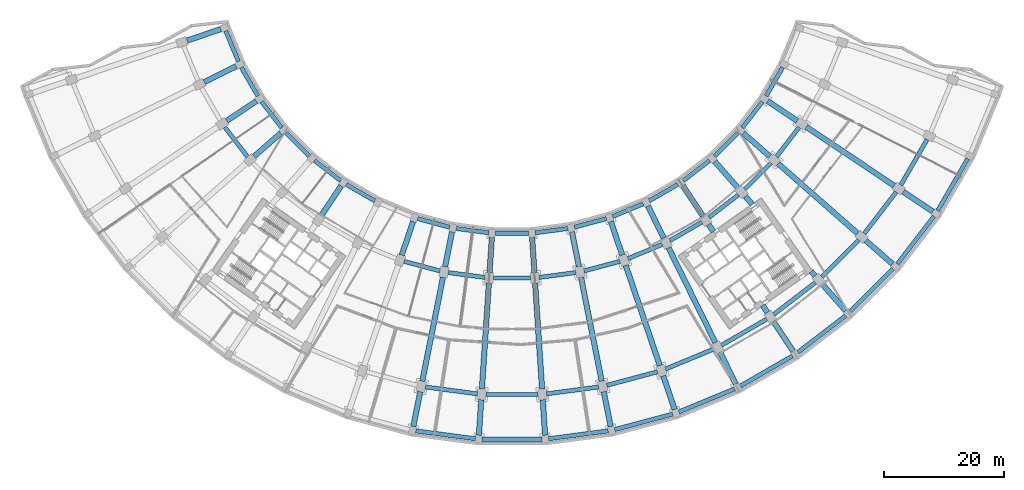
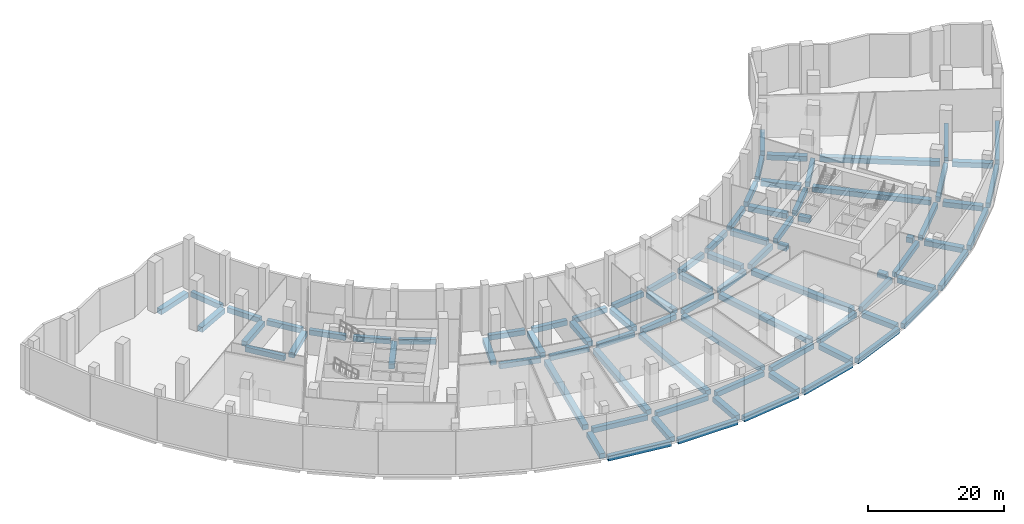
# One storey, part 2 of 17: 86 beams.
"""IFC4 building model written with IfcOpenShell, lengths in metres."""

from ifc_helpers import new_model, si_unit, direction, frame, origin, origin_2d, place, context, subcontext, project, spatial, rectangle, extrude, material, material_profile, profile_set, type_object, element, save


model = new_model("IFC4")

# Units and contexts
model_context = context("Model", 3, precision=1e-05, world=origin(), true_north=direction((0.0, 1.0)))
body_context = subcontext(model_context, "Body", "Model", "MODEL_VIEW")
ifc_project = project(units=[si_unit("LENGTHUNIT", "METRE"), si_unit("AREAUNIT", "SQUARE_METRE"), si_unit("VOLUMEUNIT", "CUBIC_METRE"), si_unit("PLANEANGLEUNIT", "RADIAN"), si_unit("MASSUNIT", "GRAM", prefix="KILO")], contexts=[model_context])

# Site, building, storey
site_placement = place(None, origin())
site = spatial("IfcSite", under=ifc_project, at=site_placement, CompositionType="ELEMENT")
building_placement = place(site_placement, origin())
building = spatial("IfcBuilding", under=site, at=building_placement, Name="Qamariyya Broadcast Tower", CompositionType="ELEMENT")
storey_placement = place(building_placement, frame((0.0, 0.0, 18.0)))
storey = spatial("IfcBuildingStorey", under=building, at=storey_placement, Name="L02", CompositionType="ELEMENT", Elevation=18.0)

# Beams
ifc_material = material(Name="Concrete C50/60", Category="concrete")
ifc_material_profile_1 = material_profile(ifc_material, rectangle(XDim=0.699951171875, YDim=0.89990234375, at=origin_2d()))
ifc_profile_set_1 = profile_set([ifc_material_profile_1], Name="Concrete C50/60")
beam_type_1 = type_object("IfcBeamType", Name="RC edge beam 700 x 900 C50/60", PredefinedType="SPANDREL", material=ifc_profile_set_1)
beam_1_placement = place(storey_placement, frame((-47.845703125, -16.822265625, -0.85009765625), z_axis=(0.382654292645, -0.92389160204, 0.0), x_axis=(0.92389160204, 0.382654292645, 0.0)))
element("IfcBeam", 1, at=beam_1_placement, inside=storey, type_object=beam_type_1, Name="Edge beam B2 L02 A R01-R02", PredefinedType="SPANDREL", context=body_context, shape_type="SweptSolid", body=[
    extrude(rectangle(XDim=0.699951171875, YDim=0.89990234375, at=origin_2d()), origin(), (0.0, 0.0, 1.0), 5.5361328125),
])
for number, where, z_axis, x_axis, name in (
    (2, (-45.24072265625, -22.923583984375, -0.85009765625), (0.500018944545, -0.86601446587, 0.0), (0.86601446587, 0.500018944545, 0.0), "Edge beam B2 L02 A R02-R03"),
    (3, (-41.861572265625, -28.632568359375, -0.85009765625), (0.60877682934, -0.793341522964, 0.0), (0.793341522964, 0.60877682934, 0.0), "Edge beam B2 L02 A R03-R04"),
):
    element("IfcBeam", number, at=place(storey_placement, frame(where, z_axis=z_axis, x_axis=x_axis)), inside=storey, type_object=beam_type_1, Name=name, PredefinedType="SPANDREL", context=body_context, shape_type="SweptSolid", body=[
        extrude(rectangle(XDim=0.699951171875, YDim=0.89990234375, at=origin_2d()), origin(), (0.0, 0.0, 1.0), 5.535888671875),
    ])
beam_2_placement = place(storey_placement, frame((-37.76611328125, -33.8515625, -0.85009765625), z_axis=(0.707106781187, -0.707106781187, 0.0), x_axis=(0.707106781187, 0.707106781187, 0.0)))
element("IfcBeam", 4, at=beam_2_placement, inside=storey, type_object=beam_type_1, Name="Edge beam B2 L02 A R04-R05", PredefinedType="SPANDREL", context=body_context, shape_type="SweptSolid", body=[
    extrude(rectangle(XDim=0.699951171875, YDim=0.89990234375, at=origin_2d()), origin(), (0.0, 0.0, 1.0), 5.5361328125),
])
for number, where, z_axis, x_axis, name in (
    (5, (-33.0244140625, -38.491455078125, -0.85009765625), (0.793341522964, -0.60877682934, 0.0), (0.60877682934, 0.793341522964, 0.0), "Edge beam B2 L02 A R05-R06"),
    (6, (-27.7177734375, -42.47265625, -0.85009765625), (0.86601446587, -0.500018944545, 0.0), (0.500018944545, 0.86601446587, 0.0), "Edge beam B2 L02 A R06-R07"),
    (7, (-15.78076171875, -48.199462890625, -0.85009765625), (0.965935650788, -0.25878237679, 0.0), (0.25878237679, 0.965935650788, 0.0), "Edge beam B2 L02 A R08-R09"),
    (8, (-9.354248046875, -49.8466796875, -0.85009765625), (0.991443033841, -0.130540072958, 0.0), (0.130540072958, 0.991443033841, 0.0), "Edge beam B2 L02 A R09-R10"),
):
    element("IfcBeam", number, at=place(storey_placement, frame(where, z_axis=z_axis, x_axis=x_axis)), inside=storey, type_object=beam_type_1, Name=name, PredefinedType="SPANDREL", context=body_context, shape_type="SweptSolid", body=[
        extrude(rectangle(XDim=0.699951171875, YDim=0.89990234375, at=origin_2d()), origin(), (0.0, 0.0, 1.0), 5.535888671875),
    ])
beam_3_placement = place(storey_placement, frame((-2.76806640625, -50.641357421875, -0.85009765625), z_axis=(1.0, 0.0, 0.0), x_axis=(0.0, 1.0, 0.0)))
element("IfcBeam", 9, at=beam_3_placement, inside=storey, type_object=beam_type_1, Name="Edge beam B2 L02 A R10-R11", PredefinedType="SPANDREL", context=body_context, shape_type="SweptSolid", body=[
    extrude(rectangle(XDim=0.699951171875, YDim=0.89990234375, at=origin_2d()), origin(), (0.0, 0.0, 1.0), 5.5361328125),
])
for number, where, z_axis, x_axis, name in (
    (10, (3.86572265625, -50.5693359375, -0.85009765625), (0.991443033841, 0.130540072958, 0.0), (-0.130540072958, 0.991443033841, 0.0), "Edge beam B2 L02 A R11-R12"),
    (11, (10.433349609375, -49.632080078125, -0.85009765625), (0.965935650788, 0.25878237679, 0.0), (-0.25878237679, 0.965935650788, 0.0), "Edge beam B2 L02 A R12-R13"),
):
    element("IfcBeam", number, at=place(storey_placement, frame(where, z_axis=z_axis, x_axis=x_axis)), inside=storey, type_object=beam_type_1, Name=name, PredefinedType="SPANDREL", context=body_context, shape_type="SweptSolid", body=[
        extrude(rectangle(XDim=0.699951171875, YDim=0.89990234375, at=origin_2d()), origin(), (0.0, 0.0, 1.0), 5.535888671875),
    ])
beam_4_placement = place(storey_placement, frame((16.822265625, -47.845703125, -0.85009765625), z_axis=(0.92389160204, 0.382654292645, 0.0), x_axis=(-0.382654292645, 0.92389160204, 0.0)))
element("IfcBeam", 12, at=beam_4_placement, inside=storey, type_object=beam_type_1, Name="Edge beam B2 L02 A R13-R14", PredefinedType="SPANDREL", context=body_context, shape_type="SweptSolid", body=[
    extrude(rectangle(XDim=0.699951171875, YDim=0.89990234375, at=origin_2d()), origin(), (0.0, 0.0, 1.0), 5.5361328125),
])
for number, where, z_axis, x_axis, name in (
    (13, (22.923583984375, -45.24072265625, -0.85009765625), (0.86601446587, 0.500018944545, 0.0), (-0.500018944545, 0.86601446587, 0.0), "Edge beam B2 L02 A R14-R15"),
    (14, (28.632568359375, -41.861572265625, -0.85009765625), (0.793341522964, 0.60877682934, 0.0), (-0.60877682934, 0.793341522964, 0.0), "Edge beam B2 L02 A R15-R16"),
):
    element("IfcBeam", number, at=place(storey_placement, frame(where, z_axis=z_axis, x_axis=x_axis)), inside=storey, type_object=beam_type_1, Name=name, PredefinedType="SPANDREL", context=body_context, shape_type="SweptSolid", body=[
        extrude(rectangle(XDim=0.699951171875, YDim=0.89990234375, at=origin_2d()), origin(), (0.0, 0.0, 1.0), 5.535888671875),
    ])
beam_5_placement = place(storey_placement, frame((33.8515625, -37.76611328125, -0.85009765625), z_axis=(0.707106781187, 0.707106781187, 0.0), x_axis=(-0.707106781187, 0.707106781187, 0.0)))
element("IfcBeam", 15, at=beam_5_placement, inside=storey, type_object=beam_type_1, Name="Edge beam B2 L02 A R16-R17", PredefinedType="SPANDREL", context=body_context, shape_type="SweptSolid", body=[
    extrude(rectangle(XDim=0.699951171875, YDim=0.89990234375, at=origin_2d()), origin(), (0.0, 0.0, 1.0), 5.5361328125),
])
for number, where, z_axis, x_axis, name in (
    (16, (38.491455078125, -33.0244140625, -0.85009765625), (0.60877682934, 0.793341522964, 0.0), (-0.793341522964, 0.60877682934, 0.0), "Edge beam B2 L02 A R17-R18"),
    (17, (42.47265625, -27.7177734375, -0.85009765625), (0.500018944545, 0.86601446587, 0.0), (-0.86601446587, 0.500018944545, 0.0), "Edge beam B2 L02 A R18-R19"),
):
    element("IfcBeam", number, at=place(storey_placement, frame(where, z_axis=z_axis, x_axis=x_axis)), inside=storey, type_object=beam_type_1, Name=name, PredefinedType="SPANDREL", context=body_context, shape_type="SweptSolid", body=[
        extrude(rectangle(XDim=0.699951171875, YDim=0.89990234375, at=origin_2d()), origin(), (0.0, 0.0, 1.0), 5.535888671875),
    ])
for number, where, z_axis, x_axis, name in (
    (18, (-48.006103515625, -32.91845703125, -0.85009765625), (0.608767052878, -0.793349024913, 0.0), (0.793349024913, 0.608767052878, 0.0), "Edge beam B2 L02 B R03-R04"),
    (19, (-18.046142578125, -55.34033203125, -0.85009765625), (0.965927891917, -0.258811335952, 0.0), (0.258811335952, 0.965927891917, 0.0), "Edge beam B2 L02 B R08-R09"),
    (20, (-10.66845703125, -57.222412109375, -0.85009765625), (0.991447744331, -0.130504292114, 0.0), (0.130504292114, 0.991447744331, 0.0), "Edge beam B2 L02 B R09-R10"),
):
    element("IfcBeam", number, at=place(storey_placement, frame(where, z_axis=z_axis, x_axis=x_axis)), inside=storey, type_object=beam_type_1, Name=name, PredefinedType="SPANDREL", context=body_context, shape_type="SweptSolid", body=[
        extrude(rectangle(XDim=0.699951171875, YDim=0.89990234375, at=origin_2d()), origin(), (0.0, 0.0, 1.0), 6.216552734375),
    ])
beam_6_placement = place(storey_placement, frame((-3.108154296875, -58.125244140625, -0.85009765625), z_axis=(1.0, 0.0, 0.0), x_axis=(0.0, 1.0, 0.0)))
element("IfcBeam", 21, at=beam_6_placement, inside=storey, type_object=beam_type_1, Name="Edge beam B2 L02 B R10-R11", PredefinedType="SPANDREL", context=body_context, shape_type="SweptSolid", body=[
    extrude(rectangle(XDim=0.699951171875, YDim=0.89990234375, at=origin_2d()), origin(), (0.0, 0.0, 1.0), 6.21630859375),
])
for number, where, z_axis, x_axis, name in (
    (22, (4.505126953125, -58.03369140625, -0.85009765625), (0.991447744331, 0.130504292114, 0.0), (-0.130504292114, 0.991447744331, 0.0), "Edge beam B2 L02 B R11-R12"),
    (23, (12.04150390625, -56.94921875, -0.85009765625), (0.965927891917, 0.258811335952, 0.0), (-0.258811335952, 0.965927891917, 0.0), "Edge beam B2 L02 B R12-R13"),
):
    element("IfcBeam", number, at=place(storey_placement, frame(where, z_axis=z_axis, x_axis=x_axis)), inside=storey, type_object=beam_type_1, Name=name, PredefinedType="SPANDREL", context=body_context, shape_type="SweptSolid", body=[
        extrude(rectangle(XDim=0.699951171875, YDim=0.89990234375, at=origin_2d()), origin(), (0.0, 0.0, 1.0), 6.216552734375),
    ])
for number, where, z_axis, x_axis, name in (
    (24, (19.3720703125, -54.89013671875, -0.85009765625), (0.92387897489, 0.38268477858, 0.0), (-0.38268477858, 0.92387897489, 0.0), "Edge beam B2 L02 B R13-R14"),
    (25, (26.370849609375, -51.89208984375, -0.85009765625), (0.86602796805, 0.499995558535, 0.0), (-0.499995558535, 0.86602796805, 0.0), "Edge beam B2 L02 B R14-R15"),
):
    element("IfcBeam", number, at=place(storey_placement, frame(where, z_axis=z_axis, x_axis=x_axis)), inside=storey, type_object=beam_type_1, Name=name, PredefinedType="SPANDREL", context=body_context, shape_type="SweptSolid", body=[
        extrude(rectangle(XDim=0.699951171875, YDim=0.89990234375, at=origin_2d()), origin(), (0.0, 0.0, 1.0), 6.21630859375),
    ])
for number, where, z_axis, x_axis, name in (
    (26, (32.91845703125, -48.006103515625, -0.85009765625), (0.793349024913, 0.608767052878, 0.0), (-0.608767052878, 0.793349024913, 0.0), "Edge beam B2 L02 B R15-R16"),
    (27, (38.90283203125, -43.298583984375, -0.85009765625), (0.707106781187, 0.707106781187, 0.0), (-0.707106781187, 0.707106781187, 0.0), "Edge beam B2 L02 B R16-R17"),
    (28, (44.2216796875, -37.850341796875, -0.85009765625), (0.608767052878, 0.793349024913, 0.0), (-0.793349024913, 0.608767052878, 0.0), "Edge beam B2 L02 B R17-R18"),
):
    element("IfcBeam", number, at=place(storey_placement, frame(where, z_axis=z_axis, x_axis=x_axis)), inside=storey, type_object=beam_type_1, Name=name, PredefinedType="SPANDREL", context=body_context, shape_type="SweptSolid", body=[
        extrude(rectangle(XDim=0.699951171875, YDim=0.89990234375, at=origin_2d()), origin(), (0.0, 0.0, 1.0), 6.216552734375),
    ])
for number, where, z_axis, x_axis, name in (
    (29, (-14.47265625, -76.34765625, -0.85009765625), (0.991445668121, -0.130520064222, 0.0), (0.130520064222, 0.991445668121, 0.0), "Edge beam B2 L02 C R09-R10"),
    (30, (-4.383544921875, -77.58349609375, -0.85009765625), (1.0, 0.0, 0.0), (0.0, 1.0, 0.0), "Edge beam B2 L02 C R10-R11"),
    (31, (5.780517578125, -77.491943359375, -0.85009765625), (0.991445668121, 0.130520064222, 0.0), (-0.130520064222, 0.991445668121, 0.0), "Edge beam B2 L02 C R11-R12"),
    (32, (15.845947265625, -76.074462890625, -0.85009765625), (0.965926422845, 0.258816818714, 0.0), (-0.258816818714, 0.965926422845, 0.0), "Edge beam B2 L02 C R12-R13"),
    (33, (25.64013671875, -73.35546875, -0.85009765625), (0.923869185896, 0.38270841035, 0.0), (-0.38270841035, 0.923869185896, 0.0), "Edge beam B2 L02 C R13-R14"),
):
    element("IfcBeam", number, at=place(storey_placement, frame(where, z_axis=z_axis, x_axis=x_axis)), inside=storey, type_object=beam_type_1, Name=name, PredefinedType="SPANDREL", context=body_context, shape_type="SweptSolid", body=[
        extrude(rectangle(XDim=0.699951171875, YDim=0.89990234375, at=origin_2d()), origin(), (0.0, 0.0, 1.0), 8.76708984375),
    ])
beam_7_placement = place(storey_placement, frame((34.995361328125, -69.381103515625, -0.85009765625), z_axis=(0.86603255856, 0.499987607361, 0.0), x_axis=(-0.499987607361, 0.86603255856, 0.0)))
element("IfcBeam", 34, at=beam_7_placement, inside=storey, type_object=beam_type_1, Name="Edge beam B2 L02 C R14-R15", PredefinedType="SPANDREL", context=body_context, shape_type="SweptSolid", body=[
    extrude(rectangle(XDim=0.699951171875, YDim=0.89990234375, at=origin_2d()), origin(), (0.0, 0.0, 1.0), 8.767333984375),
])
for number, where, z_axis, x_axis, name in (
    (35, (43.752197265625, -64.2197265625, -0.85009765625), (0.79334498231, 0.608772321187, 0.0), (-0.608772321187, 0.79334498231, 0.0), "Edge beam B2 L02 C R15-R16"),
    (36, (51.76025390625, -57.95947265625, -0.85009765625), (0.707106781187, 0.707106781187, 0.0), (-0.707106781187, 0.707106781187, 0.0), "Edge beam B2 L02 C R16-R17"),
    (37, (58.882568359375, -50.70751953125, -0.85009765625), (0.608772321187, 0.79334498231, 0.0), (-0.79334498231, 0.608772321187, 0.0), "Edge beam B2 L02 C R17-R18"),
):
    element("IfcBeam", number, at=place(storey_placement, frame(where, z_axis=z_axis, x_axis=x_axis)), inside=storey, type_object=beam_type_1, Name=name, PredefinedType="SPANDREL", context=body_context, shape_type="SweptSolid", body=[
        extrude(rectangle(XDim=0.699951171875, YDim=0.89990234375, at=origin_2d()), origin(), (0.0, 0.0, 1.0), 8.76708984375),
    ])
beam_8_placement = place(storey_placement, frame((64.99755859375, -42.588134765625, -0.85009765625), z_axis=(0.499987607361, 0.86603255856, 0.0), x_axis=(-0.86603255856, 0.499987607361, 0.0)))
element("IfcBeam", 38, at=beam_8_placement, inside=storey, type_object=beam_type_1, Name="Edge beam B2 L02 C R18-R19", PredefinedType="SPANDREL", context=body_context, shape_type="SweptSolid", body=[
    extrude(rectangle(XDim=0.699951171875, YDim=0.89990234375, at=origin_2d()), origin(), (0.0, 0.0, 1.0), 8.767333984375),
])
for number, where, z_axis, x_axis, name in (
    (39, (-16.0849609375, -83.683837890625, -0.85009765625), (0.991443211053, -0.130538727039, 0.0), (0.130538727039, 0.991443211053, 0.0), "Edge beam B2 L02 D R09-R10"),
    (40, (-5.0244140625, -85.0673828125, -0.85009765625), (1.0, 0.0, 0.0), (0.0, 1.0, 0.0), "Edge beam B2 L02 D R10-R11"),
    (41, (6.1220703125, -84.99560546875, -0.85009765625), (0.991443211053, 0.130538727039, 0.0), (-0.130538727039, 0.991443211053, 0.0), "Edge beam B2 L02 D R11-R12"),
    (42, (17.163818359375, -83.46923828125, -0.85009765625), (0.96592657939, 0.258816234475, 0.0), (-0.258816234475, 0.96592657939, 0.0), "Edge beam B2 L02 D R12-R13"),
    (43, (27.911865234375, -80.514892578125, -0.85009765625), (0.923882101991, 0.382677229034, 0.0), (-0.382677229034, 0.923882101991, 0.0), "Edge beam B2 L02 D R13-R14"),
    (44, (38.182373046875, -76.182861328125, -0.85009765625), (0.866027799164, 0.499995851058, 0.0), (-0.499995851058, 0.866027799164, 0.0), "Edge beam B2 L02 D R14-R15"),
):
    element("IfcBeam", number, at=place(storey_placement, frame(where, z_axis=z_axis, x_axis=x_axis)), inside=storey, type_object=beam_type_1, Name=name, PredefinedType="SPANDREL", context=body_context, shape_type="SweptSolid", body=[
        extrude(rectangle(XDim=0.699951171875, YDim=0.89990234375, at=origin_2d()), origin(), (0.0, 0.0, 1.0), 10.048828125),
    ])
for number, where, z_axis, x_axis, name in (
    (45, (47.799560546875, -70.54736328125, -0.85009765625), (0.793354077072, 0.608760468816, 0.0), (-0.608760468816, 0.793354077072, 0.0), "Edge beam B2 L02 D R15-R16"),
    (46, (56.598876953125, -63.70458984375, -0.85009765625), (0.707106781187, 0.707106781187, 0.0), (-0.707106781187, 0.707106781187, 0.0), "Edge beam B2 L02 D R16-R17"),
    (47, (64.429931640625, -55.77197265625, -0.85009765625), (0.608760468816, 0.793354077072, 0.0), (-0.793354077072, 0.608760468816, 0.0), "Edge beam B2 L02 D R17-R18"),
):
    element("IfcBeam", number, at=place(storey_placement, frame(where, z_axis=z_axis, x_axis=x_axis)), inside=storey, type_object=beam_type_1, Name=name, PredefinedType="SPANDREL", context=body_context, shape_type="SweptSolid", body=[
        extrude(rectangle(XDim=0.699951171875, YDim=0.89990234375, at=origin_2d()), origin(), (0.0, 0.0, 1.0), 10.049072265625),
    ])
beam_9_placement = place(storey_placement, frame((71.158447265625, -46.885009765625, -0.85009765625), z_axis=(0.499995851058, 0.866027799164, 0.0), x_axis=(-0.866027799164, 0.499995851058, 0.0)))
element("IfcBeam", 48, at=beam_9_placement, inside=storey, type_object=beam_type_1, Name="Edge beam B2 L02 D R18-R19", PredefinedType="SPANDREL", context=body_context, shape_type="SweptSolid", body=[
    extrude(rectangle(XDim=0.699951171875, YDim=0.89990234375, at=origin_2d()), origin(), (0.0, 0.0, 1.0), 10.048828125),
])
ifc_material_profile_2 = material_profile(ifc_material, rectangle(XDim=0.89990234375, YDim=0.89990234375, at=origin_2d()))
ifc_profile_set_2 = profile_set([ifc_material_profile_2], Name="Concrete C50/60")
beam_type_2 = type_object("IfcBeamType", Name="RC radial beam 900 x 900 C50/60", PredefinedType="BEAM", material=ifc_profile_set_2)
beam_10_placement = place(storey_placement, frame((-48.672119140625, -16.52197265625, -0.85009765625), z_axis=(-0.946929197619, -0.32144221051, 0.0), x_axis=(0.32144221051, -0.946929197619, 0.0)))
element("IfcBeam", 49, at=beam_10_placement, inside=storey, type_object=beam_type_2, Name="Radial beam B1 L02 R01 A-B", PredefinedType="BEAM", context=body_context, shape_type="SweptSolid", body=[
    extrude(rectangle(XDim=0.89990234375, YDim=0.89990234375, at=origin_2d()), origin(), (0.0, 0.0, 1.0), 5.949951171875),
])
beam_11_placement = place(storey_placement, frame((-46.099365234375, -22.733642578125, -0.85009765625), z_axis=(-0.896867525941, -0.442299266236, 0.0), x_axis=(0.442299266236, -0.896867525941, 0.0)))
element("IfcBeam", 50, at=beam_11_placement, inside=storey, type_object=beam_type_2, Name="Radial beam B1 L02 R02 A-B", PredefinedType="BEAM", context=body_context, shape_type="SweptSolid", body=[
    extrude(rectangle(XDim=0.89990234375, YDim=0.89990234375, at=origin_2d()), origin(), (0.0, 0.0, 1.0), 5.94970703125),
])
for number, where, z_axis, x_axis, name in (
    (51, (-42.737548828125, -28.556396484375, -0.85009765625), (-0.831469080044, -0.555571029599, 0.0), (0.555571029599, -0.831469080044, 0.0), "Radial beam B1 L02 R03 A-B"),
    (52, (-38.64453125, -33.890380859375, -0.85009765625), (-0.751836547498, -0.659349532377, 0.0), (0.659349532377, -0.751836547498, 0.0), "Radial beam B1 L02 R04 A-B"),
    (53, (-28.556396484375, -42.737548828125, -0.85009765625), (-0.555571029599, -0.831469080044, 0.0), (0.831469080044, -0.555571029599, 0.0), "Radial beam B1 L02 R06 A-B"),
    (54, (-16.52197265625, -48.672119140625, -0.85009765625), (-0.32144221051, -0.946929197619, 0.0), (0.946929197619, -0.32144221051, 0.0), "Radial beam B1 L02 R08 A-B"),
    (55, (-10.027587890625, -50.412353515625, -0.85009765625), (-0.195106018553, -0.980782158037, 0.0), (0.980782158037, -0.195106018553, 0.0), "Radial beam B1 L02 R09 A-B"),
):
    element("IfcBeam", number, at=place(storey_placement, frame(where, z_axis=z_axis, x_axis=x_axis)), inside=storey, type_object=beam_type_2, Name=name, PredefinedType="BEAM", context=body_context, shape_type="SweptSolid", body=[
        extrude(rectangle(XDim=0.89990234375, YDim=0.89990234375, at=origin_2d()), origin(), (0.0, 0.0, 1.0), 5.949951171875),
    ])
beam_12_placement = place(storey_placement, frame((-11.53955078125, -58.013427734375, -0.85009765625), z_axis=(-0.195092142495, -0.980784918286, 0.0), x_axis=(0.980784918286, -0.195092142495, 0.0)))
element("IfcBeam", 56, at=beam_12_placement, inside=storey, type_object=beam_type_2, Name="Radial beam B1 L02 R09 B-C", PredefinedType="BEAM", context=body_context, shape_type="SweptSolid", body=[
    extrude(rectangle(XDim=0.89990234375, YDim=0.89990234375, at=origin_2d()), origin(), (0.0, 0.0, 1.0), 17.699951171875),
])
for number, where, z_axis, x_axis, name in (
    (57, (-15.34375, -77.138671875, -0.85009765625), (-0.195106018553, -0.980782158037, 0.0), (0.980782158037, -0.195106018553, 0.0), "Radial beam B1 L02 R09 C-D"),
    (58, (-3.36181640625, -51.2900390625, -0.85009765625), (-0.065405111908, -0.997858793285, 0.0), (0.997858793285, -0.065405111908, 0.0), "Radial beam B1 L02 R10 A-B"),
):
    element("IfcBeam", number, at=place(storey_placement, frame(where, z_axis=z_axis, x_axis=x_axis)), inside=storey, type_object=beam_type_2, Name=name, PredefinedType="BEAM", context=body_context, shape_type="SweptSolid", body=[
        extrude(rectangle(XDim=0.89990234375, YDim=0.89990234375, at=origin_2d()), origin(), (0.0, 0.0, 1.0), 5.949951171875),
    ])
beam_13_placement = place(storey_placement, frame((-3.86865234375, -59.0234375, -0.85009765625), z_axis=(-0.065393841107, -0.997859531971, 0.0), x_axis=(0.997859531971, -0.065393841107, 0.0)))
element("IfcBeam", 59, at=beam_13_placement, inside=storey, type_object=beam_type_2, Name="Radial beam B1 L02 R10 B-C", PredefinedType="BEAM", context=body_context, shape_type="SweptSolid", body=[
    extrude(rectangle(XDim=0.89990234375, YDim=0.89990234375, at=origin_2d()), origin(), (0.0, 0.0, 1.0), 17.699951171875),
])
for number, where, z_axis, x_axis, name in (
    (60, (-5.14404296875, -78.481689453125, -0.85009765625), (-0.065405111908, -0.997858793285, 0.0), (0.997858793285, -0.065405111908, 0.0), "Radial beam B1 L02 R10 C-D"),
    (61, (3.36181640625, -51.2900390625, -0.85009765625), (0.065405111908, -0.997858793285, 0.0), (0.997858793285, 0.065405111908, 0.0), "Radial beam B1 L02 R11 A-B"),
):
    element("IfcBeam", number, at=place(storey_placement, frame(where, z_axis=z_axis, x_axis=x_axis)), inside=storey, type_object=beam_type_2, Name=name, PredefinedType="BEAM", context=body_context, shape_type="SweptSolid", body=[
        extrude(rectangle(XDim=0.89990234375, YDim=0.89990234375, at=origin_2d()), origin(), (0.0, 0.0, 1.0), 5.949951171875),
    ])
beam_14_placement = place(storey_placement, frame((3.86865234375, -59.0234375, -0.85009765625), z_axis=(0.065393841107, -0.997859531971, 0.0), x_axis=(0.997859531971, 0.065393841107, 0.0)))
element("IfcBeam", 62, at=beam_14_placement, inside=storey, type_object=beam_type_2, Name="Radial beam B1 L02 R11 B-C", PredefinedType="BEAM", context=body_context, shape_type="SweptSolid", body=[
    extrude(rectangle(XDim=0.89990234375, YDim=0.89990234375, at=origin_2d()), origin(), (0.0, 0.0, 1.0), 17.699951171875),
])
for number, where, z_axis, x_axis, name in (
    (63, (5.14404296875, -78.481689453125, -0.85009765625), (0.065405111908, -0.997858793285, 0.0), (0.997858793285, 0.065405111908, 0.0), "Radial beam B1 L02 R11 C-D"),
    (64, (10.027587890625, -50.412353515625, -0.85009765625), (0.195106018553, -0.980782158037, 0.0), (0.980782158037, 0.195106018553, 0.0), "Radial beam B1 L02 R12 A-B"),
):
    element("IfcBeam", number, at=place(storey_placement, frame(where, z_axis=z_axis, x_axis=x_axis)), inside=storey, type_object=beam_type_2, Name=name, PredefinedType="BEAM", context=body_context, shape_type="SweptSolid", body=[
        extrude(rectangle(XDim=0.89990234375, YDim=0.89990234375, at=origin_2d()), origin(), (0.0, 0.0, 1.0), 5.949951171875),
    ])
beam_15_placement = place(storey_placement, frame((11.53955078125, -58.013427734375, -0.85009765625), z_axis=(0.195092142495, -0.980784918286, 0.0), x_axis=(0.980784918286, 0.195092142495, 0.0)))
element("IfcBeam", 65, at=beam_15_placement, inside=storey, type_object=beam_type_2, Name="Radial beam B1 L02 R12 B-C", PredefinedType="BEAM", context=body_context, shape_type="SweptSolid", body=[
    extrude(rectangle(XDim=0.89990234375, YDim=0.89990234375, at=origin_2d()), origin(), (0.0, 0.0, 1.0), 17.699951171875),
])
for number, where, z_axis, x_axis, name in (
    (66, (15.34375, -77.138671875, -0.85009765625), (0.195106018553, -0.980782158037, 0.0), (0.980782158037, 0.195106018553, 0.0), "Radial beam B1 L02 R12 C-D"),
    (67, (16.52197265625, -48.672119140625, -0.85009765625), (0.32144221051, -0.946929197619, 0.0), (0.946929197619, 0.32144221051, 0.0), "Radial beam B1 L02 R13 A-B"),
):
    element("IfcBeam", number, at=place(storey_placement, frame(where, z_axis=z_axis, x_axis=x_axis)), inside=storey, type_object=beam_type_2, Name=name, PredefinedType="BEAM", context=body_context, shape_type="SweptSolid", body=[
        extrude(rectangle(XDim=0.89990234375, YDim=0.89990234375, at=origin_2d()), origin(), (0.0, 0.0, 1.0), 5.949951171875),
    ])
beam_16_placement = place(storey_placement, frame((19.01318359375, -56.010986328125, -0.85009765625), z_axis=(0.321441019674, -0.946929601856, 0.0), x_axis=(0.946929601856, 0.321441019674, 0.0)))
element("IfcBeam", 68, at=beam_16_placement, inside=storey, type_object=beam_type_2, Name="Radial beam B1 L02 R13 B-C", PredefinedType="BEAM", context=body_context, shape_type="SweptSolid", body=[
    extrude(rectangle(XDim=0.89990234375, YDim=0.89990234375, at=origin_2d()), origin(), (0.0, 0.0, 1.0), 17.699951171875),
])
beam_17_placement = place(storey_placement, frame((25.28125, -74.47607421875, -0.85009765625), z_axis=(0.32144221051, -0.946929197619, 0.0), x_axis=(0.946929197619, 0.32144221051, 0.0)))
element("IfcBeam", 69, at=beam_17_placement, inside=storey, type_object=beam_type_2, Name="Radial beam B1 L02 R13 C-D", PredefinedType="BEAM", context=body_context, shape_type="SweptSolid", body=[
    extrude(rectangle(XDim=0.89990234375, YDim=0.89990234375, at=origin_2d()), origin(), (0.0, 0.0, 1.0), 5.949951171875),
])
beam_18_placement = place(storey_placement, frame((22.733642578125, -46.099365234375, -0.85009765625), z_axis=(0.442299266236, -0.896867525941, 0.0), x_axis=(0.896867525941, 0.442299266236, 0.0)))
element("IfcBeam", 70, at=beam_18_placement, inside=storey, type_object=beam_type_2, Name="Radial beam B1 L02 R14 A-B", PredefinedType="BEAM", context=body_context, shape_type="SweptSolid", body=[
    extrude(rectangle(XDim=0.89990234375, YDim=0.89990234375, at=origin_2d()), origin(), (0.0, 0.0, 1.0), 5.94970703125),
])
beam_19_placement = place(storey_placement, frame((26.161376953125, -53.050048828125, -0.85009765625), z_axis=(0.442296435771, -0.896868921808, 0.0), x_axis=(0.896868921808, 0.442296435771, 0.0)))
element("IfcBeam", 71, at=beam_19_placement, inside=storey, type_object=beam_type_2, Name="Radial beam B1 L02 R14 B-C", PredefinedType="BEAM", context=body_context, shape_type="SweptSolid", body=[
    extrude(rectangle(XDim=0.89990234375, YDim=0.89990234375, at=origin_2d()), origin(), (0.0, 0.0, 1.0), 17.699951171875),
])
beam_20_placement = place(storey_placement, frame((34.785888671875, -70.5390625, -0.85009765625), z_axis=(0.442315994054, -0.896859276255, 0.0), x_axis=(0.896859276255, 0.442315994054, 0.0)))
element("IfcBeam", 72, at=beam_20_placement, inside=storey, type_object=beam_type_2, Name="Radial beam B1 L02 R14 C-D", PredefinedType="BEAM", context=body_context, shape_type="SweptSolid", body=[
    extrude(rectangle(XDim=0.89990234375, YDim=0.89990234375, at=origin_2d()), origin(), (0.0, 0.0, 1.0), 5.9501953125),
])
beam_21_placement = place(storey_placement, frame((28.556396484375, -42.737548828125, -0.85009765625), z_axis=(0.555571029599, -0.831469080044, 0.0), x_axis=(0.831469080044, 0.555571029599, 0.0)))
element("IfcBeam", 73, at=beam_21_placement, inside=storey, type_object=beam_type_2, Name="Radial beam B1 L02 R15 A-B", PredefinedType="BEAM", context=body_context, shape_type="SweptSolid", body=[
    extrude(rectangle(XDim=0.89990234375, YDim=0.89990234375, at=origin_2d()), origin(), (0.0, 0.0, 1.0), 5.949951171875),
])
beam_22_placement = place(storey_placement, frame((32.862060546875, -49.181396484375, -0.85009765625), z_axis=(0.555469378272, -0.831536992443, 0.0), x_axis=(0.831536992443, 0.555469378272, 0.0)))
element("IfcBeam", 74, at=beam_22_placement, inside=storey, type_object=beam_type_2, Name="Radial beam B1 L02 R15 B-C", PredefinedType="BEAM", context=body_context, shape_type="SweptSolid", body=[
    extrude(rectangle(XDim=0.89990234375, YDim=0.89990234375, at=origin_2d()), origin(), (0.0, 0.0, 1.0), 1.464599609375),
])
beam_23_placement = place(storey_placement, frame((41.89990234375, -62.707763671875, -0.85009765625), z_axis=(0.555604740558, -0.831446554067, 0.0), x_axis=(0.831446554067, 0.555604740558, 0.0)))
element("IfcBeam", 75, at=beam_23_placement, inside=storey, type_object=beam_type_2, Name="Radial beam B1 L02 R15 B-C", PredefinedType="BEAM", context=body_context, shape_type="SweptSolid", body=[
    extrude(rectangle(XDim=0.89990234375, YDim=0.89990234375, at=origin_2d()), origin(), (0.0, 0.0, 1.0), 1.43212890625),
])
for number, where, z_axis, x_axis, name in (
    (76, (43.695556640625, -65.39501953125, -0.85009765625), (0.555571029599, -0.831469080044, 0.0), (0.831469080044, 0.555571029599, 0.0), "Radial beam B1 L02 R15 C-D"),
    (77, (33.890380859375, -38.64453125, -0.85009765625), (0.659349532377, -0.751836547498, 0.0), (0.751836547498, 0.659349532377, 0.0), "Radial beam B1 L02 R16 A-B"),
):
    element("IfcBeam", number, at=place(storey_placement, frame(where, z_axis=z_axis, x_axis=x_axis)), inside=storey, type_object=beam_type_2, Name=name, PredefinedType="BEAM", context=body_context, shape_type="SweptSolid", body=[
        extrude(rectangle(XDim=0.89990234375, YDim=0.89990234375, at=origin_2d()), origin(), (0.0, 0.0, 1.0), 5.949951171875),
    ])
beam_24_placement = place(storey_placement, frame((39.000244140625, -44.471435546875, -0.85009765625), z_axis=(0.65939107141, -0.751800116351, 0.0), x_axis=(0.751800116351, 0.65939107141, 0.0)))
element("IfcBeam", 78, at=beam_24_placement, inside=storey, type_object=beam_type_2, Name="Radial beam B1 L02 R16 B-C", PredefinedType="BEAM", context=body_context, shape_type="SweptSolid", body=[
    extrude(rectangle(XDim=0.89990234375, YDim=0.89990234375, at=origin_2d()), origin(), (0.0, 0.0, 1.0), 1.8125),
])
beam_25_placement = place(storey_placement, frame((50.011962890625, -57.027587890625, -0.85009765625), z_axis=(0.659282746956, -0.751895112077, 0.0), x_axis=(0.751895112077, 0.659282746956, 0.0)))
element("IfcBeam", 79, at=beam_25_placement, inside=storey, type_object=beam_type_2, Name="Radial beam B1 L02 R16 B-C", PredefinedType="BEAM", context=body_context, shape_type="SweptSolid", body=[
    extrude(rectangle(XDim=0.89990234375, YDim=0.89990234375, at=origin_2d()), origin(), (0.0, 0.0, 1.0), 0.9990234375),
])
beam_26_placement = place(storey_placement, frame((51.857666015625, -59.132080078125, -0.85009765625), z_axis=(0.659329192059, -0.75185438517, 0.0), x_axis=(0.75185438517, 0.659329192059, 0.0)))
element("IfcBeam", 80, at=beam_26_placement, inside=storey, type_object=beam_type_2, Name="Radial beam B1 L02 R16 C-D", PredefinedType="BEAM", context=body_context, shape_type="SweptSolid", body=[
    extrude(rectangle(XDim=0.89990234375, YDim=0.89990234375, at=origin_2d()), origin(), (0.0, 0.0, 1.0), 5.9501953125),
])
beam_27_placement = place(storey_placement, frame((38.64453125, -33.890380859375, -0.85009765625), z_axis=(0.751836547498, -0.659349532377, 0.0), x_axis=(0.659349532377, 0.751836547498, 0.0)))
element("IfcBeam", 81, at=beam_27_placement, inside=storey, type_object=beam_type_2, Name="Radial beam B1 L02 R17 A-B", PredefinedType="BEAM", context=body_context, shape_type="SweptSolid", body=[
    extrude(rectangle(XDim=0.89990234375, YDim=0.89990234375, at=origin_2d()), origin(), (0.0, 0.0, 1.0), 5.949951171875),
])
beam_28_placement = place(storey_placement, frame((44.471435546875, -39.000244140625, -0.85009765625), z_axis=(0.751835404461, -0.659350835746, 0.0), x_axis=(0.659350835746, 0.751835404461, 0.0)))
element("IfcBeam", 82, at=beam_28_placement, inside=storey, type_object=beam_type_2, Name="Radial beam B1 L02 R17 B-C", PredefinedType="BEAM", context=body_context, shape_type="SweptSolid", body=[
    extrude(rectangle(XDim=0.89990234375, YDim=0.89990234375, at=origin_2d()), origin(), (0.0, 0.0, 1.0), 17.699951171875),
])
beam_29_placement = place(storey_placement, frame((59.132080078125, -51.857666015625, -0.85009765625), z_axis=(0.75185438517, -0.659329192059, 0.0), x_axis=(0.659329192059, 0.75185438517, 0.0)))
element("IfcBeam", 83, at=beam_29_placement, inside=storey, type_object=beam_type_2, Name="Radial beam B1 L02 R17 C-D", PredefinedType="BEAM", context=body_context, shape_type="SweptSolid", body=[
    extrude(rectangle(XDim=0.89990234375, YDim=0.89990234375, at=origin_2d()), origin(), (0.0, 0.0, 1.0), 5.9501953125),
])
beam_30_placement = place(storey_placement, frame((42.737548828125, -28.556396484375, -0.85009765625), z_axis=(0.831469080044, -0.555571029599, 0.0), x_axis=(0.555571029599, 0.831469080044, 0.0)))
element("IfcBeam", 84, at=beam_30_placement, inside=storey, type_object=beam_type_2, Name="Radial beam B1 L02 R18 A-B", PredefinedType="BEAM", context=body_context, shape_type="SweptSolid", body=[
    extrude(rectangle(XDim=0.89990234375, YDim=0.89990234375, at=origin_2d()), origin(), (0.0, 0.0, 1.0), 5.949951171875),
])
beam_31_placement = place(storey_placement, frame((49.181396484375, -32.862060546875, -0.85009765625), z_axis=(0.831472648212, -0.555565689433, 0.0), x_axis=(0.555565689433, 0.831472648212, 0.0)))
element("IfcBeam", 85, at=beam_31_placement, inside=storey, type_object=beam_type_2, Name="Radial beam B1 L02 R18 B-C", PredefinedType="BEAM", context=body_context, shape_type="SweptSolid", body=[
    extrude(rectangle(XDim=0.89990234375, YDim=0.89990234375, at=origin_2d()), origin(), (0.0, 0.0, 1.0), 17.699951171875),
])
beam_32_placement = place(storey_placement, frame((65.39501953125, -43.695556640625, -0.85009765625), z_axis=(0.831469080044, -0.555571029599, 0.0), x_axis=(0.555571029599, 0.831469080044, 0.0)))
element("IfcBeam", 86, at=beam_32_placement, inside=storey, type_object=beam_type_2, Name="Radial beam B1 L02 R18 C-D", PredefinedType="BEAM", context=body_context, shape_type="SweptSolid", body=[
    extrude(rectangle(XDim=0.89990234375, YDim=0.89990234375, at=origin_2d()), origin(), (0.0, 0.0, 1.0), 5.949951171875),
])

save(model, "model.ifc")
